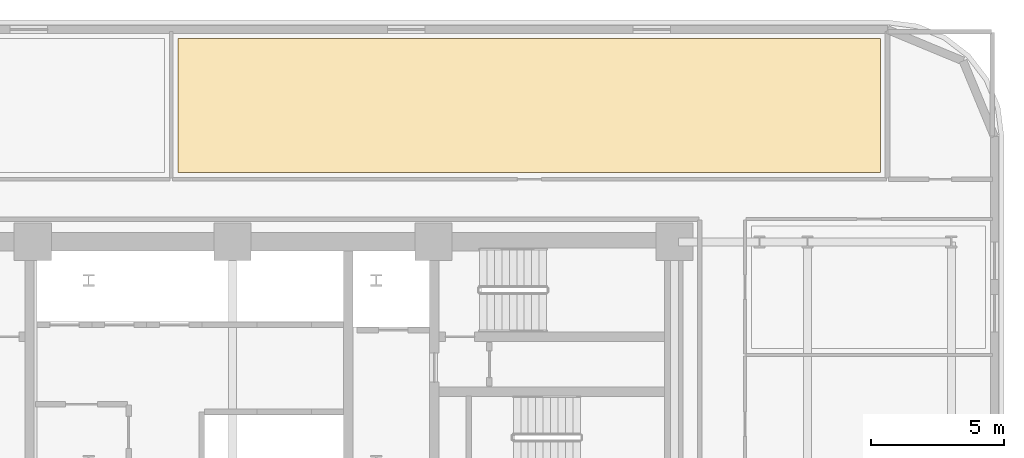
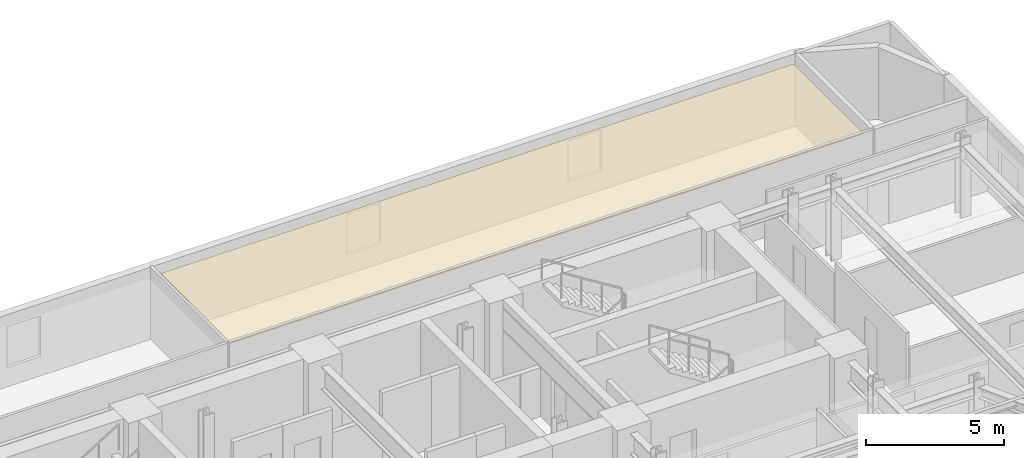
# One storey, part 15 of 15: 1 covering.
"""IFC4 building model written with IfcOpenShell, lengths in metres."""

from ifc_helpers import new_model, si_unit, direction, frame, origin, place, context, subcontext, project, spatial, polyline, outline, extrude, material, layer, layer_set, type_object, element, save


model = new_model("IFC4")

# Units and contexts
model_context = context("Model", 3, precision=1e-05, world=origin(), true_north=direction((0.0, 1.0)))
body_context = subcontext(model_context, "Body", "Model", "MODEL_VIEW")
ifc_project = project(units=[si_unit("LENGTHUNIT", "METRE"), si_unit("AREAUNIT", "SQUARE_METRE"), si_unit("VOLUMEUNIT", "CUBIC_METRE"), si_unit("PLANEANGLEUNIT", "RADIAN"), si_unit("MASSUNIT", "GRAM", prefix="KILO")], contexts=[model_context])

# Site, building, storey
site_placement = place(None, origin())
site = spatial("IfcSite", under=ifc_project, at=site_placement, CompositionType="ELEMENT")
building_placement = place(site_placement, origin())
building = spatial("IfcBuilding", under=site, at=building_placement, Name="Zarnavel Station Tower", CompositionType="ELEMENT")
storey_placement = place(building_placement, frame((0.0, 0.0, 71.0)))
storey = spatial("IfcBuildingStorey", under=building, at=storey_placement, Name="L19", CompositionType="ELEMENT", Elevation=71.0)

# Covering
ifc_material = material(Name="Perforated Gypsum and Mineral-Wool Acoustic Ceiling", Category="concrete")
ifc_layer = layer(ifc_material, 0.0400390625)
ifc_layer_set = layer_set([ifc_layer], Name="COV_CEIL_ACOUSTIC")
covering_type = type_object("IfcCoveringType", Name="COV_CEIL_ACOUSTIC", PredefinedType="CEILING", material=ifc_layer_set)
covering_placement = place(storey_placement, frame((0.0, 0.0, 2.860107421875)))
element("IfcCovering", 1, at=covering_placement, inside=storey, type_object=covering_type, Name="L19 NL6B Acoustic Ceiling", PredefinedType="CEILING", context=body_context, shape_type="SweptSolid", body=[
    extrude(outline(polyline([(26.75, 39.64990234375), (53.14990234375, 39.64990234375), (53.14990234375, 44.68994140625), (26.75, 44.68994140625), (26.75, 39.64990234375)])), origin(), (0.0, 0.0, 1.0), 0.039794921875),
])

save(model, "model.ifc")
